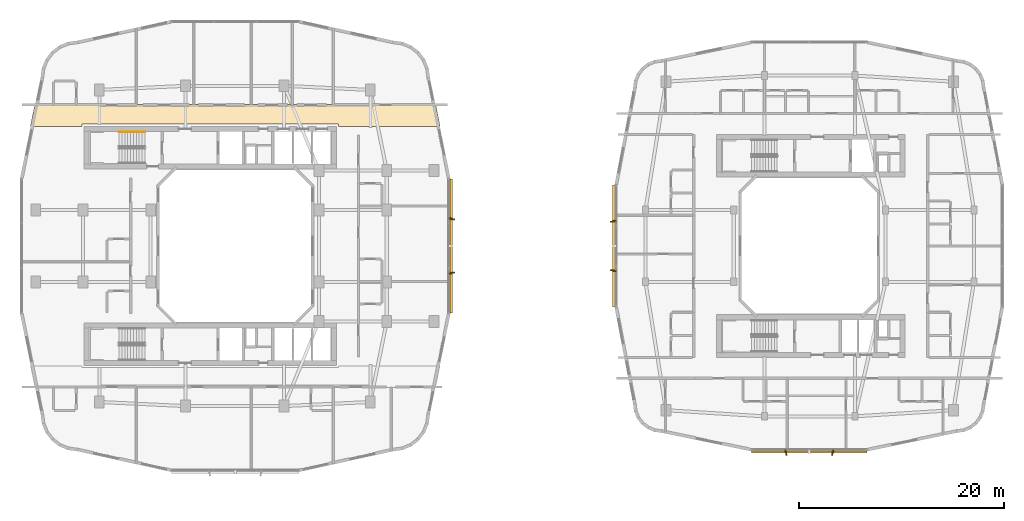
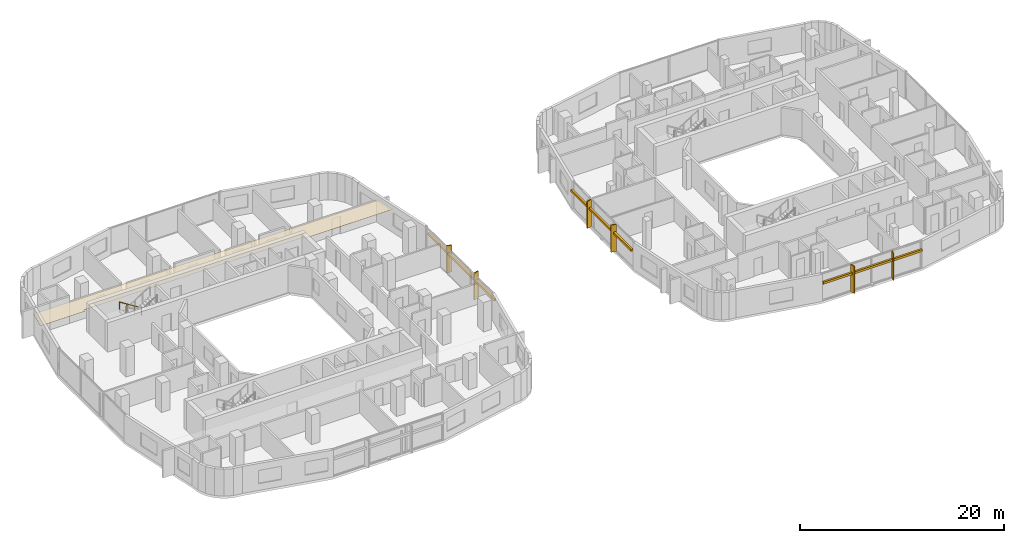
# One storey, part 26 of 27: 9 shading devices, 1 covering, 1 railing.
"""IFC4 building model written with IfcOpenShell, lengths in metres."""

from ifc_helpers import new_model, si_unit, derived_unit, direction, frame, origin, origin_2d, place, context, subcontext, project, spatial, polyline, rectangle, circle, outline, extrude, material, layer, layer_set, type_object, element, save


model = new_model("IFC4")

# Units and contexts
model_context = context("Model", 3, precision=1e-05, world=origin(), true_north=direction((0.0, 1.0)))
body_context = subcontext(model_context, "Body", "Model", "MODEL_VIEW")
ifc_project = project(units=[si_unit("LENGTHUNIT", "METRE"), si_unit("AREAUNIT", "SQUARE_METRE"), si_unit("VOLUMEUNIT", "CUBIC_METRE"), si_unit("PLANEANGLEUNIT", "RADIAN"), si_unit("MASSUNIT", "GRAM", prefix="KILO"), derived_unit("THERMALTRANSMITTANCEUNIT", [(si_unit("POWERUNIT", "WATT"), 1), (si_unit("LENGTHUNIT", "METRE"), -2), (si_unit("THERMODYNAMICTEMPERATUREUNIT", "KELVIN"), -1)])], contexts=[model_context])

# Site, building, storey
site_placement = place(None, origin())
site = spatial("IfcSite", under=ifc_project, at=site_placement, CompositionType="ELEMENT")
building_placement = place(site_placement, origin())
building = spatial("IfcBuilding", under=site, at=building_placement, Name="Kivonza Crest Hotel", CompositionType="ELEMENT")
storey_placement = place(building_placement, frame((0.0, 0.0, 73.0)))
storey = spatial("IfcBuildingStorey", under=building, at=storey_placement, Name="L19", CompositionType="ELEMENT", Elevation=73.0)

# Covering
ifc_material_1 = material(Name="Mineral-fibre acoustic ceiling tile", Category="gypsum")
ifc_layer = layer(ifc_material_1, 0.02490234375)
ifc_layer_set = layer_set([ifc_layer], Name="Mineral-fibre acoustic ceiling tile")
covering_type = type_object("IfcCoveringType", Name="CV-CEIL-ACOU", PredefinedType="CEILING", material=ifc_layer_set)
covering_placement = place(storey_placement, frame((0.0, 0.0, 2.449951171875)))
element("IfcCovering", 1, at=covering_placement, inside=storey, type_object=covering_type, Name="L19 Hotel North Guest Corridor suspended ceiling", PredefinedType="CEILING", context=body_context, shape_type="SweptSolid", body=[
    extrude(outline(polyline([(1.506103515625, 38.7900390625), (1.06396484375, 36.6201171875), (6.10009765625, 36.6201171875), (6.10009765625, 36.860107421875), (31.10009765625, 36.860107421875), (31.10009765625, 36.6201171875), (41.01611328125, 36.6201171875), (40.573974609375, 38.7900390625), (1.506103515625, 38.7900390625)])), origin(), (0.0, 0.0, 1.0), 0.025146484375),
])

# Railing
ifc_material_2 = material(Name="Brushed stainless steel handrail", Category="steel")
railing_type = type_object("IfcRailingType", Name="RL-HAND-900", PredefinedType="HANDRAIL", material=ifc_material_2)
railing_placement = place(storey_placement, frame((12.239990234375, 36.110107421875, 0.175048828125)))
element("IfcRailing", 2, at=railing_placement, inside=storey, type_object=railing_type, Name="L19 ST-T1-N stair handrail 1", PredefinedType="HANDRAIL", context=body_context, shape_type="SweptSolid", body=[
    extrude(circle(Radius=0.02392578125, at=origin_2d()), frame((0.0, 0.0, 0.8759765625), z_axis=(-0.848007534815, 0.0, 0.529984170421), x_axis=(0.0, -1.0, 0.0)), (0.0, 0.0, 1.0), 2.9716796875),
    extrude(circle(Radius=0.02099609375, at=origin_2d()), origin(), (0.0, 0.0, 1.0), 0.851806640625),
    extrude(circle(Radius=0.02099609375, at=origin_2d()), frame((-0.840087890625, 0.0, 0.52490234375)), (0.0, 0.0, 1.0), 0.851806640625),
    extrude(circle(Radius=0.02099609375, at=origin_2d()), frame((-1.679931640625, 0.0, 1.050048828125)), (0.0, 0.0, 1.0), 0.851806640625),
    extrude(circle(Radius=0.02099609375, at=origin_2d()), frame((-2.52001953125, 0.0, 1.574951171875)), (0.0, 0.0, 1.0), 0.851806640625),
])

# Shading devices
ifc_material_3 = material(Name="Kiln-fired Nairobi red-ochre terracotta", Category="masonry")
shading_device_type_1 = type_object("IfcShadingDeviceType", Name="SH-BAGUETTE-300", PredefinedType="USERDEFINED", material=ifc_material_3)
shading_device_1_placement = place(storey_placement, frame((42.080078125, 25.0, 2.1240234375), z_axis=(0.0, 0.0, 1.0), x_axis=(0.0, 1.0, 0.0)))
element("IfcShadingDevice", 3, at=shading_device_1_placement, inside=storey, type_object=shading_device_type_1, Name="L19 terracotta baguette screen CW-T1-L19-17", ObjectType="BAGUETTE", PredefinedType="USERDEFINED", context=body_context, shape_type="SweptSolid", body=[
    extrude(rectangle(XDim=13.080078125, YDim=0.219970703125, at=origin_2d()), origin(), (0.0, 0.0, 1.0), 0.260009765625),
])
shading_device_2_placement = place(storey_placement, frame((76.9599609375, 4.919921875, 2.14501953125), z_axis=(0.0, 0.0, 1.0), x_axis=(1.0, 0.0, 0.0)))
element("IfcShadingDevice", 4, at=shading_device_2_placement, inside=storey, type_object=shading_device_type_1, Name="L19 terracotta baguette screen CW-T2-L19-08", ObjectType="BAGUETTE", PredefinedType="USERDEFINED", context=body_context, shape_type="SweptSolid", body=[
    extrude(rectangle(XDim=11.256103515625, YDim=0.219970703125, at=origin_2d()), origin(), (0.0, 0.0, 1.0), 0.260009765625),
])
shading_device_3_placement = place(storey_placement, frame((57.919921875, 25.0, 2.14501953125), z_axis=(0.0, 0.0, 1.0), x_axis=(0.0, -1.0, 0.0)))
element("IfcShadingDevice", 5, at=shading_device_3_placement, inside=storey, type_object=shading_device_type_1, Name="L19 terracotta baguette screen CW-T2-L19-35", ObjectType="BAGUETTE", PredefinedType="USERDEFINED", context=body_context, shape_type="SweptSolid", body=[
    extrude(rectangle(XDim=11.8798828125, YDim=0.219970703125, at=origin_2d()), origin(), (0.0, 0.0, 1.0), 0.260009765625),
])
ifc_material_4 = material(Name="Kiln-fired terracotta over extruded aluminium spine", Category="masonry")
shading_device_type_2 = type_object("IfcShadingDeviceType", Name="SH-FIN-550", PredefinedType="USERDEFINED", material=ifc_material_4)
for number, where, z_axis, x_axis, name in (
    (6, (42.139892578125, 22.360107421875, 0.0), (0.0, 0.0, 1.0), (-0.2419218956, 0.970295726276, 0.0), "L19 vertical solar shading fin CW-T1-L19-17-1"),
    (7, (42.139892578125, 27.639892578125, 0.0), (0.0, 0.0, 1.0), (0.2419218956, 0.970295726276, 0.0), "L19 vertical solar shading fin CW-T1-L19-17-2"),
):
    element("IfcShadingDevice", number, at=place(storey_placement, frame(where, z_axis=z_axis, x_axis=x_axis)), inside=storey, type_object=shading_device_type_2, Name=name, ObjectType="FIN", PredefinedType="USERDEFINED", context=body_context, shape_type="SweptSolid", body=[
        extrude(rectangle(XDim=0.1201171875, YDim=0.550048828125, at=origin_2d()), origin(), (0.0, 0.0, 1.0), 3.219970703125),
    ])
for number, where, z_axis, x_axis, name in (
    (8, (74.68505859375, 4.860107421875, 0.0), (0.0, 0.0, 1.0), (0.970295726276, 0.2419218956, 0.0), "L19 vertical solar shading fin CW-T2-L19-08-1"),
    (9, (79.235107421875, 4.860107421875, 0.0), (0.0, 0.0, 1.0), (0.970295726276, -0.2419218956, 0.0), "L19 vertical solar shading fin CW-T2-L19-08-2"),
    (10, (57.860107421875, 27.39990234375, 0.0), (0.0, 0.0, 1.0), (0.2419218956, -0.970295726276, 0.0), "L19 vertical solar shading fin CW-T2-L19-35-1"),
    (11, (57.860107421875, 22.60009765625, 0.0), (0.0, 0.0, 1.0), (-0.2419218956, -0.970295726276, 0.0), "L19 vertical solar shading fin CW-T2-L19-35-2"),
):
    element("IfcShadingDevice", number, at=place(storey_placement, frame(where, z_axis=z_axis, x_axis=x_axis)), inside=storey, type_object=shading_device_type_2, Name=name, ObjectType="FIN", PredefinedType="USERDEFINED", context=body_context, shape_type="SweptSolid", body=[
        extrude(rectangle(XDim=0.1201171875, YDim=0.550048828125, at=origin_2d()), origin(), (0.0, 0.0, 1.0), 3.25),
    ])

save(model, "model.ifc")
